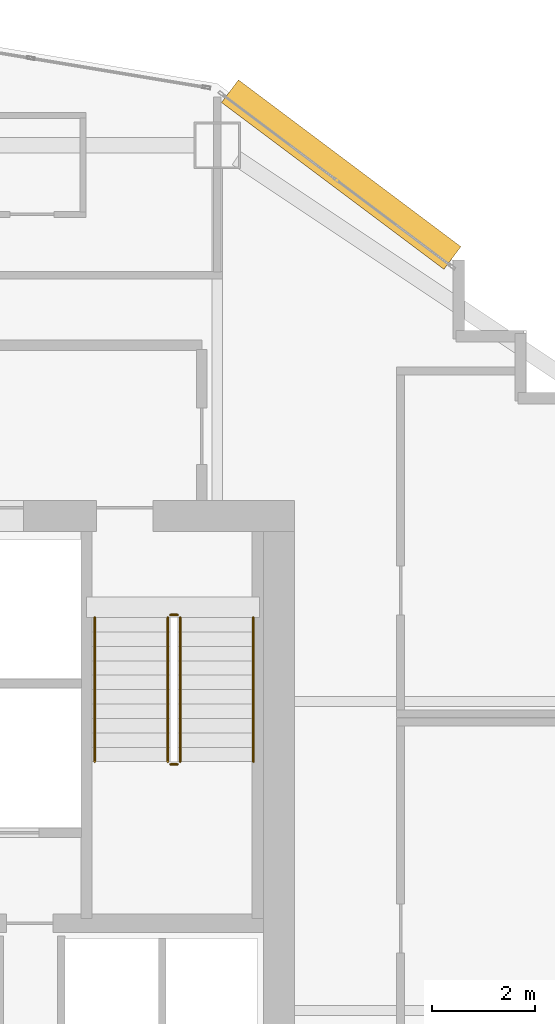
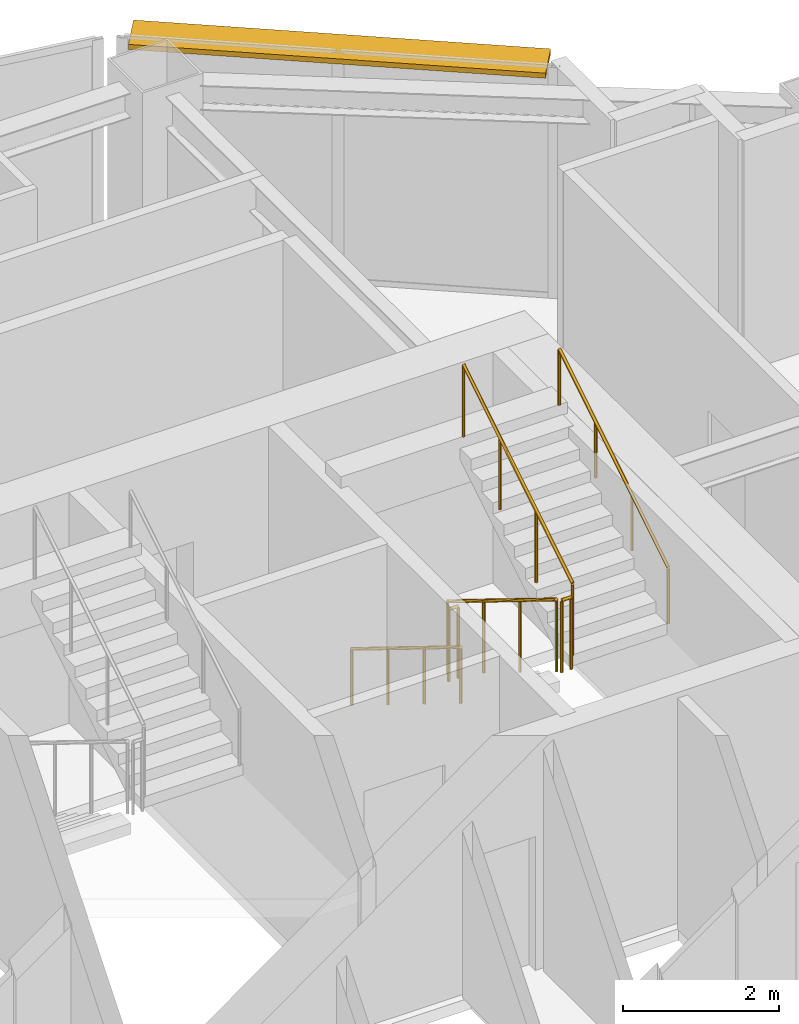
# One storey, part 11 of 11: 6 railings, 1 shading device.
"""IFC4 building model written with IfcOpenShell, lengths in metres."""

from ifc_helpers import new_model, si_unit, direction, frame, origin, origin_2d, place, context, subcontext, project, spatial, rectangle, circle, extrude, material, layer, layer_set, type_object, element, save


model = new_model("IFC4")

# Units and contexts
model_context = context("Model", 3, precision=1e-05, world=origin(), true_north=direction((0.0, 1.0)))
body_context = subcontext(model_context, "Body", "Model", "MODEL_VIEW")
ifc_project = project(units=[si_unit("LENGTHUNIT", "METRE"), si_unit("AREAUNIT", "SQUARE_METRE"), si_unit("VOLUMEUNIT", "CUBIC_METRE"), si_unit("PLANEANGLEUNIT", "RADIAN"), si_unit("MASSUNIT", "GRAM", prefix="KILO")], contexts=[model_context])

# Site, building, storey
site_placement = place(None, origin())
site = spatial("IfcSite", under=ifc_project, at=site_placement, CompositionType="ELEMENT")
building_placement = place(site_placement, origin())
building = spatial("IfcBuilding", under=site, at=building_placement, Name="Haolan Belvedere Tower", CompositionType="ELEMENT")
storey_placement = place(building_placement, frame((0.0, 0.0, 172.800048828125)))
storey = spatial("IfcBuildingStorey", under=building, at=storey_placement, Name="L43", CompositionType="ELEMENT", Elevation=172.800048828125)

# Railings
ifc_material_1 = material(Name="Brushed stainless steel 304", Category="steel")
railing_type_1 = type_object("IfcRailingType", Name="RL-STAIR-GRD-1150", PredefinedType="GUARDRAIL", material=ifc_material_1)
railing_1_placement = place(storey_placement, frame((44.639892578125, 41.22998046875, 0.172607421875)))
element("IfcRailing", 1, at=railing_1_placement, inside=storey, type_object=railing_type_1, Name="L43 ST2 stair guard 1", PredefinedType="GUARDRAIL", context=body_context, shape_type="SweptSolid", body=[
    extrude(circle(Radius=0.02392578125, at=origin_2d()), frame((0.0, 0.0, 1.1259765625), z_axis=(0.0, -0.851089632645, 0.525020415988), x_axis=(1.0, 0.0, 0.0)), (0.0, 0.0, 1.0), 3.2900390625),
    extrude(circle(Radius=0.02099609375, at=origin_2d()), origin(), (0.0, 0.0, 1.0), 1.101806640625),
    extrude(circle(Radius=0.02099609375, at=origin_2d()), frame((0.0, -0.933349609375, 0.57568359375)), (0.0, 0.0, 1.0), 1.101806640625),
    extrude(circle(Radius=0.02099609375, at=origin_2d()), frame((0.0, -1.86669921875, 1.151611328125)), (0.0, 0.0, 1.0), 1.101806640625),
    extrude(circle(Radius=0.02099609375, at=origin_2d()), frame((0.0, -2.800048828125, 1.727294921875)), (0.0, 0.0, 1.0), 1.101806640625),
])
railing_2_placement = place(storey_placement, frame((44.68994140625, 38.3798828125, 1.89990234375)))
element("IfcRailing", 2, at=railing_2_placement, inside=storey, type_object=railing_type_1, Name="L43 ST2 stair guard 2", PredefinedType="GUARDRAIL", context=body_context, shape_type="SweptSolid", body=[
    extrude(circle(Radius=0.02392578125, at=origin_2d()), frame((0.0, 0.0, 1.1259765625), z_axis=(1.0, 0.0, 0.0), x_axis=(0.0, 1.0, 0.0)), (0.0, 0.0, 1.0), 0.14013671875),
    extrude(circle(Radius=0.02099609375, at=origin_2d()), origin(), (0.0, 0.0, 1.0), 1.101806640625),
    extrude(circle(Radius=0.02099609375, at=origin_2d()), frame((0.14013671875, 0.0, 0.0)), (0.0, 0.0, 1.0), 1.101806640625),
])
railing_3_placement = place(storey_placement, frame((44.8798828125, 38.429931640625, 2.07275390625)))
element("IfcRailing", 3, at=railing_3_placement, inside=storey, type_object=railing_type_1, Name="L43 ST2 stair guard 3", PredefinedType="GUARDRAIL", context=body_context, shape_type="SweptSolid", body=[
    extrude(circle(Radius=0.02392578125, at=origin_2d()), frame((0.0, 0.0, 1.1259765625), z_axis=(0.0, 0.851089632645, 0.525020415988), x_axis=(-1.0, 0.0, 0.0)), (0.0, 0.0, 1.0), 3.2900390625),
    extrude(circle(Radius=0.02099609375, at=origin_2d()), origin(), (0.0, 0.0, 1.0), 1.101806640625),
    extrude(circle(Radius=0.02099609375, at=origin_2d()), frame((0.0, 0.933349609375, 0.57568359375)), (0.0, 0.0, 1.0), 1.101806640625),
    extrude(circle(Radius=0.02099609375, at=origin_2d()), frame((0.0, 1.86669921875, 1.151611328125)), (0.0, 0.0, 1.0), 1.101806640625),
    extrude(circle(Radius=0.02099609375, at=origin_2d()), frame((0.0, 2.800048828125, 1.727294921875)), (0.0, 0.0, 1.0), 1.101806640625),
])
railing_4_placement = place(storey_placement, frame((44.68994140625, 41.280029296875, 0.0)))
element("IfcRailing", 4, at=railing_4_placement, inside=storey, type_object=railing_type_1, Name="L43 ST2 stair guard 4", PredefinedType="GUARDRAIL", context=body_context, shape_type="SweptSolid", body=[
    extrude(circle(Radius=0.02392578125, at=origin_2d()), frame((0.0, 0.0, 1.1259765625), z_axis=(1.0, 0.0, 0.0), x_axis=(0.0, 1.0, 0.0)), (0.0, 0.0, 1.0), 0.14013671875),
    extrude(circle(Radius=0.02099609375, at=origin_2d()), origin(), (0.0, 0.0, 1.0), 1.101806640625),
    extrude(circle(Radius=0.02099609375, at=origin_2d()), frame((0.14013671875, 0.0, 0.0)), (0.0, 0.0, 1.0), 1.101806640625),
])
railing_type_2 = type_object("IfcRailingType", Name="RL-STAIR-HND-900", PredefinedType="HANDRAIL", material=ifc_material_1)
railing_5_placement = place(storey_placement, frame((43.219970703125, 41.22998046875, 0.172607421875)))
element("IfcRailing", 5, at=railing_5_placement, inside=storey, type_object=railing_type_2, Name="L43 ST2 stair handrail 1", PredefinedType="HANDRAIL", context=body_context, shape_type="SweptSolid", body=[
    extrude(circle(Radius=0.02392578125, at=origin_2d()), frame((0.0, 0.0, 0.8759765625), z_axis=(0.0, -0.851089632645, 0.525020415988), x_axis=(1.0, 0.0, 0.0)), (0.0, 0.0, 1.0), 3.2900390625),
    extrude(circle(Radius=0.02099609375, at=origin_2d()), origin(), (0.0, 0.0, 1.0), 0.851806640625),
    extrude(circle(Radius=0.02099609375, at=origin_2d()), frame((0.0, -0.933349609375, 0.57568359375)), (0.0, 0.0, 1.0), 0.851806640625),
    extrude(circle(Radius=0.02099609375, at=origin_2d()), frame((0.0, -1.86669921875, 1.151611328125)), (0.0, 0.0, 1.0), 0.851806640625),
    extrude(circle(Radius=0.02099609375, at=origin_2d()), frame((0.0, -2.800048828125, 1.727294921875)), (0.0, 0.0, 1.0), 0.851806640625),
])
railing_6_placement = place(storey_placement, frame((46.300048828125, 38.429931640625, 2.07275390625)))
element("IfcRailing", 6, at=railing_6_placement, inside=storey, type_object=railing_type_2, Name="L43 ST2 stair handrail 2", PredefinedType="HANDRAIL", context=body_context, shape_type="SweptSolid", body=[
    extrude(circle(Radius=0.02392578125, at=origin_2d()), frame((0.0, 0.0, 0.8759765625), z_axis=(0.0, 0.851089632645, 0.525020415988), x_axis=(-1.0, 0.0, 0.0)), (0.0, 0.0, 1.0), 3.2900390625),
    extrude(circle(Radius=0.02099609375, at=origin_2d()), origin(), (0.0, 0.0, 1.0), 0.851806640625),
    extrude(circle(Radius=0.02099609375, at=origin_2d()), frame((0.0, 0.933349609375, 0.57568359375)), (0.0, 0.0, 1.0), 0.851806640625),
    extrude(circle(Radius=0.02099609375, at=origin_2d()), frame((0.0, 1.86669921875, 1.151611328125)), (0.0, 0.0, 1.0), 0.851806640625),
    extrude(circle(Radius=0.02099609375, at=origin_2d()), frame((0.0, 2.800048828125, 1.727294921875)), (0.0, 0.0, 1.0), 0.851806640625),
])

# Shading device
ifc_material_2 = material(Name="Anodised champagne-silver aluminium 6063-T6", Category="aluminium")
ifc_layer = layer(ifc_material_2, 0.080078125, Name="Anodised champagne-silver aluminium 6063-T6")
ifc_layer_set = layer_set([ifc_layer], Name="Anodised champagne-silver aluminium 6063-T6")
shading_device_type = type_object("IfcShadingDeviceType", Name="SHD-SUN-550", PredefinedType="USERDEFINED", material=ifc_layer_set)
shading_device_placement = place(storey_placement, frame((48.0068359375, 49.83251953125, 3.52001953125), z_axis=(0.0, 0.0, 1.0), x_axis=(-0.799998928149, 0.600001429133, 0.0)))
element("IfcShadingDevice", 7, at=shading_device_placement, inside=storey, type_object=shading_device_type, Name="L43 pale-metal horizontal SUNSHADE band 20.1", ObjectType="SUNSHADE", PredefinedType="USERDEFINED", context=body_context, shape_type="SweptSolid", body=[
    extrude(rectangle(XDim=5.398193359375, YDim=0.550048828125, at=origin_2d()), origin(), (0.0, 0.0, 1.0), 0.080078125),
])

save(model, "model.ifc")
